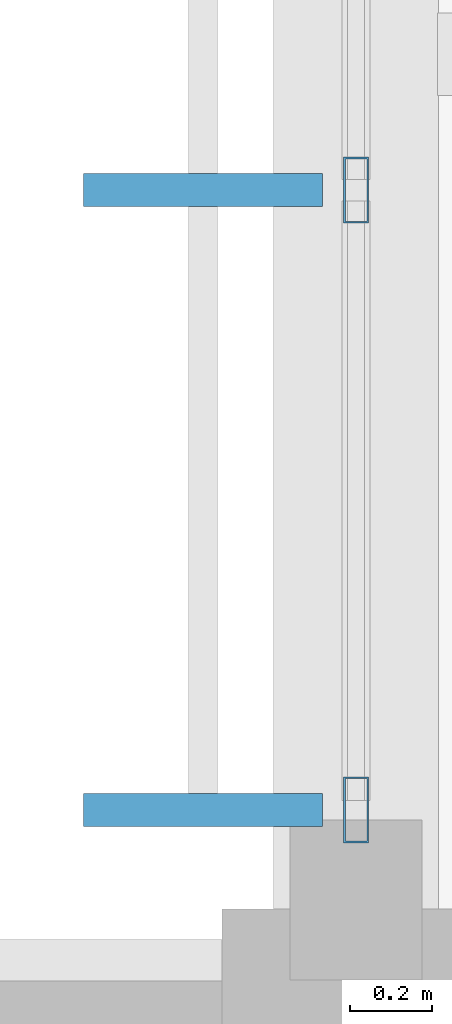
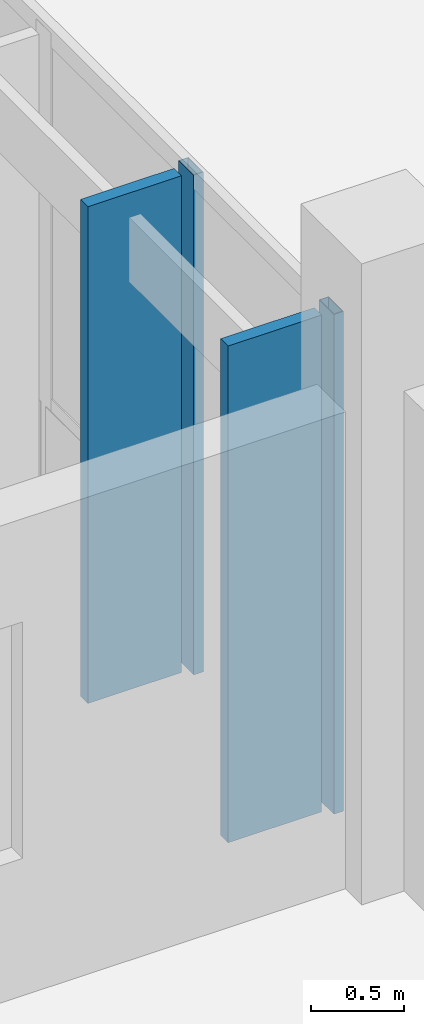
# One storey, part 91 of 182: 4 members, 1 element without a shape of its own.
"""IFC4 building model written with IfcOpenShell, lengths in metres."""

from ifc_helpers import new_model, si_unit, direction, frame, origin, origin_2d, place, context, subcontext, project, spatial, rectangle, hollow_rectangle, extrude, material, material_profile, profile_set, type_object, element, aggregate, save


model = new_model("IFC4")

# Units and contexts
model_context = context("Model", 3, precision=1e-05, world=origin(), true_north=direction((0.0, 1.0)))
body_context = subcontext(model_context, "Body", "Model", "MODEL_VIEW")
ifc_project = project(units=[si_unit("LENGTHUNIT", "METRE"), si_unit("AREAUNIT", "SQUARE_METRE"), si_unit("VOLUMEUNIT", "CUBIC_METRE"), si_unit("PLANEANGLEUNIT", "RADIAN"), si_unit("MASSUNIT", "GRAM", prefix="KILO")], contexts=[model_context])

# Site, building, storey
site_placement = place(None, origin())
site = spatial("IfcSite", under=ifc_project, at=site_placement, CompositionType="ELEMENT")
building_placement = place(site_placement, origin())
building = spatial("IfcBuilding", under=site, at=building_placement, Name="Chiffa Square Polytechnic", CompositionType="ELEMENT")
storey_placement = place(building_placement, frame((0.0, 0.0, 9.60009765625)))
storey = spatial("IfcBuildingStorey", under=building, at=storey_placement, Name="L02", CompositionType="ELEMENT", Elevation=9.60009765625)

# Curtain wall, members
ifc_material_1 = material(Name="Aluminium EN AW-6060 T66 and glulam shading", Category="wood")
curtain_wall_type = type_object("IfcCurtainWallType", Name="CW-VERT-300X380", PredefinedType="USERDEFINED", material=ifc_material_1)
curtain_wall_placement = place(storey_placement, origin())
curtain_wall = element("IfcCurtainWall", 1, at=curtain_wall_placement, inside=storey, type_object=curtain_wall_type, Name="Curtain wall CW-V1-L02-131", ObjectType="CURTAIN WALL", PredefinedType="USERDEFINED")
ifc_material_2 = material(Name="Aluminium EN AW-6060 T66", Category="aluminium")
ifc_material_profile_1 = material_profile(ifc_material_2, hollow_rectangle(XDim=0.06005859375, YDim=0.159912109375, WallThickness=0.00390625, at=origin_2d()), Name="ALU 60x160x4")
ifc_profile_set_1 = profile_set([ifc_material_profile_1], Name="Aluminium EN AW-6060 T66")
member_type_1 = type_object("IfcMemberType", Name="CWM-ALU-65X150", PredefinedType="MULLION", material=ifc_profile_set_1)
member_1_placement = place(storey_placement, frame((148.199951171875, 30.8701171875, 0.0), z_axis=(0.0, 0.0, 1.0), x_axis=(1.0, 0.0, 0.0)))
member_1 = element("IfcMember", 2, at=member_1_placement, type_object=member_type_1, Name="Curtain wall mullion CW-V1-L02-131-M03", PredefinedType="MULLION", context=body_context, shape_type="SweptSolid", body=[
    extrude(hollow_rectangle(XDim=0.06005859375, YDim=0.159912109375, WallThickness=0.00390625, at=origin_2d()), origin(), (0.0, 0.0, 1.0), 3.27490234375),
])
member_2_placement = place(storey_placement, frame((148.199951171875, 29.364990234375, 0.0), z_axis=(0.0, 0.0, 1.0), x_axis=(1.0, 0.0, 0.0)))
member_2 = element("IfcMember", 3, at=member_2_placement, type_object=member_type_1, Name="Curtain wall mullion CW-V1-L02-131-M04", PredefinedType="MULLION", context=body_context, shape_type="SweptSolid", body=[
    extrude(hollow_rectangle(XDim=0.06005859375, YDim=0.159912109375, WallThickness=0.00390625, at=origin_2d()), origin(), (0.0, 0.0, 1.0), 3.27490234375),
])
ifc_material_3 = material(Name="Glulam GL28h", Category="wood")
ifc_material_profile_2 = material_profile(ifc_material_3, rectangle(XDim=0.080078125, YDim=0.580078125, at=origin_2d()), Name="GL28h 80x580")
ifc_profile_set_2 = profile_set([ifc_material_profile_2], Name="Glulam GL28h")
member_type_2 = type_object("IfcMemberType", Name="CWM-GL-80X580", PredefinedType="MULLION", material=ifc_profile_set_2)
member_3_placement = place(storey_placement, frame((147.827880859375, 30.8701171875, 0.010009765625), z_axis=(0.0, 0.0, 1.0), x_axis=(0.0, -1.0, 0.0)))
member_3 = element("IfcMember", 4, at=member_3_placement, type_object=member_type_2, Name="Exterior glulam solar fin CW-V1-L02-131-FN03", PredefinedType="MULLION", context=body_context, shape_type="SweptSolid", body=[
    extrude(rectangle(XDim=0.080078125, YDim=0.580078125, at=origin_2d()), origin(), (0.0, 0.0, 1.0), 3.2548828125),
])
member_4_placement = place(storey_placement, frame((147.827880859375, 29.364990234375, 0.010009765625), z_axis=(0.0, 0.0, 1.0), x_axis=(0.0, -1.0, 0.0)))
member_4 = element("IfcMember", 5, at=member_4_placement, type_object=member_type_2, Name="Exterior glulam solar fin CW-V1-L02-131-FN04", PredefinedType="MULLION", context=body_context, shape_type="SweptSolid", body=[
    extrude(rectangle(XDim=0.080078125, YDim=0.580078125, at=origin_2d()), origin(), (0.0, 0.0, 1.0), 3.2548828125),
])
aggregate(curtain_wall, [member_1, member_3, member_2, member_4])

save(model, "model.ifc")
